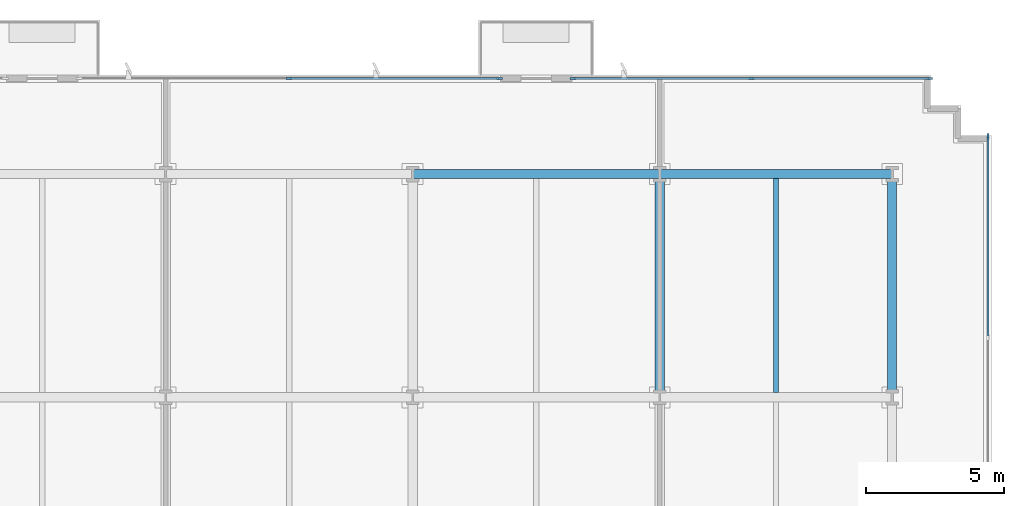
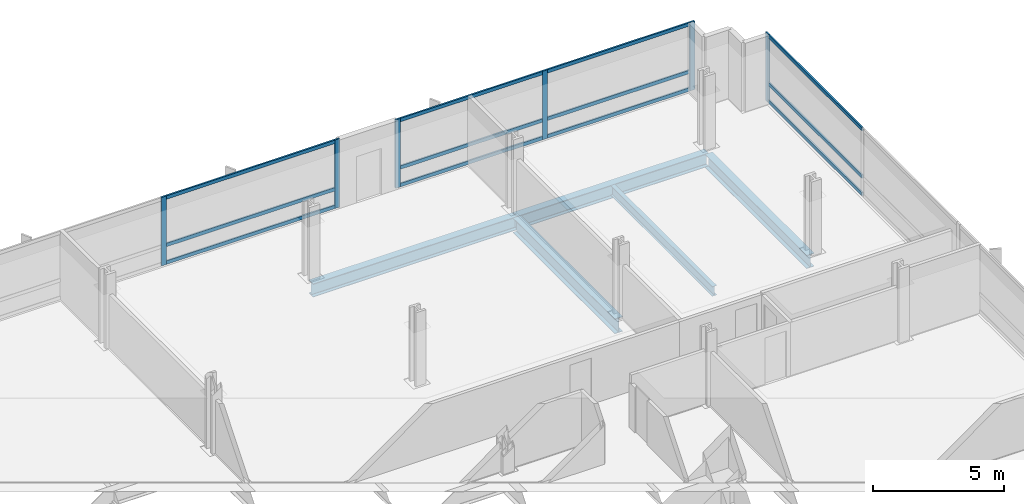
# One storey, part 6 of 14: 18 members, 5 beams, 3 elements without a shape of their own.
"""IFC4 building model written with IfcOpenShell, lengths in metres."""

from ifc_helpers import new_model, si_unit, direction, frame, origin, origin_2d, place, context, subcontext, project, spatial, rectangle, i_section, extrude, material, material_profile, profile_set, type_object, element, aggregate, save


model = new_model("IFC4")

# Units and contexts
model_context = context("Model", 3, precision=1e-05, world=origin(), true_north=direction((0.0, 1.0)))
body_context = subcontext(model_context, "Body", "Model", "MODEL_VIEW")
ifc_project = project(units=[si_unit("LENGTHUNIT", "METRE"), si_unit("AREAUNIT", "SQUARE_METRE"), si_unit("VOLUMEUNIT", "CUBIC_METRE"), si_unit("PLANEANGLEUNIT", "RADIAN"), si_unit("MASSUNIT", "GRAM", prefix="KILO")], contexts=[model_context])

# Site, building, storey
site_placement = place(None, origin())
site = spatial("IfcSite", under=ifc_project, at=site_placement, CompositionType="ELEMENT")
building_placement = place(site_placement, origin())
building = spatial("IfcBuilding", under=site, at=building_placement, Name="Solmavex Isthmus Hotel", CompositionType="ELEMENT")
storey_placement = place(building_placement, frame((0.0, 0.0, 50.550048828125)))
storey = spatial("IfcBuildingStorey", under=building, at=storey_placement, Name="L13", CompositionType="ELEMENT", Elevation=50.550048828125)

# Beams
ifc_material_1 = material(Name="Steel ASTM A992 Grade 50", Category="steel")
ifc_material_profile_1 = material_profile(ifc_material_1, i_section(OverallWidth=0.354736328125, OverallDepth=0.695556640625, WebThickness=0.015380859375, FlangeThickness=0.02490234375, FilletRadius=0.017822265625, at=origin_2d()), Name="W27X146")
ifc_profile_set_1 = profile_set([ifc_material_profile_1], Name="Steel ASTM A992 Grade 50")
beam_type_1 = type_object("IfcBeamType", Name="BM-BG-W27X146", PredefinedType="BEAM", material=ifc_profile_set_1)
beam_1_placement = place(storey_placement, frame((17.951904296875, 8.96533203125, -0.60791015625), z_axis=(0.0, 1.0, 0.0), x_axis=(-1.0, 0.0, 0.0)))
element("IfcBeam", 1, at=beam_1_placement, inside=storey, type_object=beam_type_1, Name="Floor Beam L13-VG45", PredefinedType="BEAM", context=body_context, shape_type="SweptSolid", body=[
    extrude(i_section(OverallWidth=0.354736328125, OverallDepth=0.695556640625, WebThickness=0.015380859375, FlangeThickness=0.02490234375, FilletRadius=0.017822265625, at=origin_2d()), origin(), (0.0, 0.0, 1.0), 7.771484375),
])
ifc_material_profile_2 = material_profile(ifc_material_1, i_section(OverallWidth=0.1904296875, OverallDepth=0.456787109375, WebThickness=0.009033203125, FlangeThickness=0.014404296875, FilletRadius=0.0126953125, at=origin_2d()), Name="W18X50")
ifc_profile_set_2 = profile_set([ifc_material_profile_2], Name="Steel ASTM A992 Grade 50")
beam_type_2 = type_object("IfcBeamType", Name="BM-BJ-W18X50", PredefinedType="JOIST", material=ifc_profile_set_2)
beam_2_placement = place(storey_placement, frame((22.176025390625, 8.96533203125, -0.488525390625), z_axis=(0.0, 1.0, 0.0), x_axis=(-1.0, 0.0, 0.0)))
element("IfcBeam", 2, at=beam_2_placement, inside=storey, type_object=beam_type_2, Name="Secondary Floor Joist L13-J22", PredefinedType="JOIST", context=body_context, shape_type="SweptSolid", body=[
    extrude(i_section(OverallWidth=0.1904296875, OverallDepth=0.456787109375, WebThickness=0.009033203125, FlangeThickness=0.014404296875, FilletRadius=0.0126953125, at=origin_2d()), origin(), (0.0, 0.0, 1.0), 7.771484375),
])
ifc_material_profile_3 = material_profile(ifc_material_1, i_section(OverallWidth=0.326416015625, OverallDepth=0.621826171875, WebThickness=0.015380859375, FlangeThickness=0.0244140625, FilletRadius=0.01513671875, at=origin_2d()), Name="W24X131")
ifc_profile_set_3 = profile_set([ifc_material_profile_3], Name="Steel ASTM A992 Grade 50")
beam_type_3 = type_object("IfcBeamType", Name="BM-SP-W24X131", PredefinedType="SPANDREL", material=ifc_profile_set_3)
beam_3_placement = place(storey_placement, frame((8.97607421875, 16.89990234375, -0.571044921875), z_axis=(1.0, 0.0, 0.0), x_axis=(0.0, 1.0, 0.0)))
element("IfcBeam", 3, at=beam_3_placement, inside=storey, type_object=beam_type_3, Name="Floor Girder L13-UG23", PredefinedType="SPANDREL", context=body_context, shape_type="SweptSolid", body=[
    extrude(i_section(OverallWidth=0.326416015625, OverallDepth=0.621826171875, WebThickness=0.015380859375, FlangeThickness=0.0244140625, FilletRadius=0.01513671875, at=origin_2d()), origin(), (0.0, 0.0, 1.0), 8.975830078125),
])
beam_4_placement = place(storey_placement, frame((17.951904296875, 16.89990234375, -0.571044921875), z_axis=(1.0, 0.0, 0.0), x_axis=(0.0, 1.0, 0.0)))
element("IfcBeam", 4, at=beam_4_placement, inside=storey, type_object=beam_type_3, Name="Floor Girder L13-UG24", PredefinedType="SPANDREL", context=body_context, shape_type="SweptSolid", body=[
    extrude(i_section(OverallWidth=0.326416015625, OverallDepth=0.621826171875, WebThickness=0.015380859375, FlangeThickness=0.0244140625, FilletRadius=0.01513671875, at=origin_2d()), origin(), (0.0, 0.0, 1.0), 8.447998046875),
])
beam_5_placement = place(storey_placement, frame((26.39990234375, 8.96533203125, -0.571044921875), z_axis=(0.0, 1.0, 0.0), x_axis=(-1.0, 0.0, 0.0)))
element("IfcBeam", 5, at=beam_5_placement, inside=storey, type_object=beam_type_3, Name="Floor Beam L13-VG48", PredefinedType="SPANDREL", context=body_context, shape_type="SweptSolid", body=[
    extrude(i_section(OverallWidth=0.326416015625, OverallDepth=0.621826171875, WebThickness=0.015380859375, FlangeThickness=0.0244140625, FilletRadius=0.01513671875, at=origin_2d()), origin(), (0.0, 0.0, 1.0), 7.771484375),
])

# Curtain wall, members
ifc_material_2 = material(Name="Aluminium alloy 6063-T6", Category="aluminium")
curtain_wall_type = type_object("IfcCurtainWallType", Name="CW-SYS-02", PredefinedType="NOTDEFINED", material=ifc_material_2)
curtain_wall_1_placement = place(storey_placement, origin())
curtain_wall_1 = element("IfcCurtainWall", 6, at=curtain_wall_1_placement, inside=storey, type_object=curtain_wall_type, Name="Stick Curtain Wall CWL-L13-N2", PredefinedType="NOTDEFINED")
ifc_material_profile_4 = material_profile(ifc_material_2, rectangle(XDim=0.074951171875, YDim=0.219970703125, at=origin_2d()), Name="CWM-75X220")
ifc_profile_set_4 = profile_set([ifc_material_profile_4], Name="Aluminium alloy 6063-T6")
member_type_1 = type_object("IfcMemberType", Name="CW-SYS-02-MUL", PredefinedType="MULLION", material=ifc_profile_set_4)
member_1_placement = place(storey_placement, frame((4.488037109375, 20.3798828125, 0.0), z_axis=(0.0, 0.0, 1.0), x_axis=(0.0, 1.0, 0.0)))
member_1 = element("IfcMember", 7, at=member_1_placement, type_object=member_type_1, Name="CW-02 mullion 2", PredefinedType="MULLION", context=body_context, shape_type="SweptSolid", body=[
    extrude(rectangle(XDim=0.074951171875, YDim=0.219970703125, at=origin_2d()), origin(), (0.0, 0.0, 1.0), 3.18994140625),
])
member_2_placement = place(storey_placement, frame((12.12646484375, 20.3798828125, 0.0), z_axis=(0.0, 0.0, 1.0), x_axis=(0.0, 1.0, 0.0)))
member_2 = element("IfcMember", 8, at=member_2_placement, type_object=member_type_1, Name="CW-02 mullion 3", PredefinedType="MULLION", context=body_context, shape_type="SweptSolid", body=[
    extrude(rectangle(XDim=0.074951171875, YDim=0.219970703125, at=origin_2d()), origin(), (0.0, 0.0, 1.0), 3.18994140625),
])

curtain_wall_2_placement = place(storey_placement, origin())
curtain_wall_2 = element("IfcCurtainWall", 9, at=curtain_wall_2_placement, inside=storey, type_object=curtain_wall_type, Name="Stick Curtain Wall CWL-L13-N3", PredefinedType="NOTDEFINED")
member_3_placement = place(storey_placement, frame((14.801513671875, 20.3798828125, 0.0), z_axis=(0.0, 0.0, 1.0), x_axis=(0.0, 1.0, 0.0)))
member_3 = element("IfcMember", 10, at=member_3_placement, type_object=member_type_1, Name="CW-02 mullion 1", PredefinedType="MULLION", context=body_context, shape_type="SweptSolid", body=[
    extrude(rectangle(XDim=0.074951171875, YDim=0.219970703125, at=origin_2d()), origin(), (0.0, 0.0, 1.0), 3.18994140625),
])
member_4_placement = place(storey_placement, frame((21.281982421875, 20.3798828125, 0.0), z_axis=(0.0, 0.0, 1.0), x_axis=(0.0, 1.0, 0.0)))
member_4 = element("IfcMember", 11, at=member_4_placement, type_object=member_type_1, Name="CW-02 mullion 2", PredefinedType="MULLION", context=body_context, shape_type="SweptSolid", body=[
    extrude(rectangle(XDim=0.074951171875, YDim=0.219970703125, at=origin_2d()), origin(), (0.0, 0.0, 1.0), 3.18994140625),
])
member_5_placement = place(storey_placement, frame((27.762451171875, 20.3798828125, 0.0), z_axis=(0.0, 0.0, 1.0), x_axis=(0.0, 1.0, 0.0)))
member_5 = element("IfcMember", 12, at=member_5_placement, type_object=member_type_1, Name="CW-02 mullion 3", PredefinedType="MULLION", context=body_context, shape_type="SweptSolid", body=[
    extrude(rectangle(XDim=0.074951171875, YDim=0.219970703125, at=origin_2d()), origin(), (0.0, 0.0, 1.0), 3.18994140625),
])

# Curtain wall, member
curtain_wall_3_placement = place(storey_placement, origin())
curtain_wall_3 = element("IfcCurtainWall", 13, at=curtain_wall_3_placement, inside=storey, type_object=curtain_wall_type, Name="Stick Curtain Wall CWL-L13-E1", PredefinedType="NOTDEFINED")
member_6_placement = place(storey_placement, frame((29.8798828125, 18.262451171875, 0.0), z_axis=(0.0, 0.0, 1.0), x_axis=(-1.0, 0.0, 0.0)))
member_6 = element("IfcMember", 14, at=member_6_placement, type_object=member_type_1, Name="CW-02 mullion 6", PredefinedType="MULLION", context=body_context, shape_type="SweptSolid", body=[
    extrude(rectangle(XDim=0.074951171875, YDim=0.219970703125, at=origin_2d()), origin(), (0.0, 0.0, 1.0), 3.18994140625),
])

# Member
ifc_material_profile_5 = material_profile(ifc_material_2, rectangle(XDim=0.074951171875, YDim=0.159912109375, at=origin_2d()), Name="CWT-75X160")
ifc_profile_set_5 = profile_set([ifc_material_profile_5], Name="Aluminium alloy 6063-T6")
member_type_2 = type_object("IfcMemberType", Name="CW-SYS-02-TRN", PredefinedType="USERDEFINED", material=ifc_profile_set_5)
member_7_placement = place(storey_placement, frame((4.525390625, 20.3798828125, 0.079833984375), z_axis=(1.0, 0.0, 0.0), x_axis=(0.0, 1.0, 0.0)))
member_7 = element("IfcMember", 15, at=member_7_placement, type_object=member_type_2, Name="CW-02 transom 2.1", ObjectType="TRANSOM", PredefinedType="USERDEFINED", context=body_context, shape_type="SweptSolid", body=[
    extrude(rectangle(XDim=0.074951171875, YDim=0.159912109375, at=origin_2d()), origin(), (0.0, 0.0, 1.0), 7.563720703125),
])

member_8_placement = place(storey_placement, frame((4.525390625, 20.3798828125, 0.89990234375), z_axis=(1.0, 0.0, 0.0), x_axis=(0.0, 1.0, 0.0)))
member_8 = element("IfcMember", 16, at=member_8_placement, type_object=member_type_2, Name="CW-02 transom 2.2", ObjectType="TRANSOM", PredefinedType="USERDEFINED", context=body_context, shape_type="SweptSolid", body=[
    extrude(rectangle(XDim=0.074951171875, YDim=0.159912109375, at=origin_2d()), origin(), (0.0, 0.0, 1.0), 7.563720703125),
])

member_9_placement = place(storey_placement, frame((4.525390625, 20.3798828125, 3.10986328125), z_axis=(1.0, 0.0, 0.0), x_axis=(0.0, 1.0, 0.0)))
member_9 = element("IfcMember", 17, at=member_9_placement, type_object=member_type_2, Name="CW-02 transom 2.3", ObjectType="TRANSOM", PredefinedType="USERDEFINED", context=body_context, shape_type="SweptSolid", body=[
    extrude(rectangle(XDim=0.074951171875, YDim=0.159912109375, at=origin_2d()), origin(), (0.0, 0.0, 1.0), 7.563720703125),
])

aggregate(curtain_wall_1, [member_1, member_2, member_7, member_8, member_9])

member_10_placement = place(storey_placement, frame((14.839111328125, 20.3798828125, 0.079833984375), z_axis=(1.0, 0.0, 0.0), x_axis=(0.0, 1.0, 0.0)))
member_10 = element("IfcMember", 18, at=member_10_placement, type_object=member_type_2, Name="CW-02 transom 1.1", ObjectType="TRANSOM", PredefinedType="USERDEFINED", context=body_context, shape_type="SweptSolid", body=[
    extrude(rectangle(XDim=0.074951171875, YDim=0.159912109375, at=origin_2d()), origin(), (0.0, 0.0, 1.0), 6.4052734375),
])

member_11_placement = place(storey_placement, frame((14.839111328125, 20.3798828125, 0.89990234375), z_axis=(1.0, 0.0, 0.0), x_axis=(0.0, 1.0, 0.0)))
member_11 = element("IfcMember", 19, at=member_11_placement, type_object=member_type_2, Name="CW-02 transom 1.2", ObjectType="TRANSOM", PredefinedType="USERDEFINED", context=body_context, shape_type="SweptSolid", body=[
    extrude(rectangle(XDim=0.074951171875, YDim=0.159912109375, at=origin_2d()), origin(), (0.0, 0.0, 1.0), 6.4052734375),
])

member_12_placement = place(storey_placement, frame((14.839111328125, 20.3798828125, 3.10986328125), z_axis=(1.0, 0.0, 0.0), x_axis=(0.0, 1.0, 0.0)))
member_12 = element("IfcMember", 20, at=member_12_placement, type_object=member_type_2, Name="CW-02 transom 1.3", ObjectType="TRANSOM", PredefinedType="USERDEFINED", context=body_context, shape_type="SweptSolid", body=[
    extrude(rectangle(XDim=0.074951171875, YDim=0.159912109375, at=origin_2d()), origin(), (0.0, 0.0, 1.0), 6.4052734375),
])

member_13_placement = place(storey_placement, frame((21.319580078125, 20.3798828125, 0.079833984375), z_axis=(1.0, 0.0, 0.0), x_axis=(0.0, 1.0, 0.0)))
member_13 = element("IfcMember", 21, at=member_13_placement, type_object=member_type_2, Name="CW-02 transom 2.1", ObjectType="TRANSOM", PredefinedType="USERDEFINED", context=body_context, shape_type="SweptSolid", body=[
    extrude(rectangle(XDim=0.074951171875, YDim=0.159912109375, at=origin_2d()), origin(), (0.0, 0.0, 1.0), 6.405517578125),
])

member_14_placement = place(storey_placement, frame((21.319580078125, 20.3798828125, 0.89990234375), z_axis=(1.0, 0.0, 0.0), x_axis=(0.0, 1.0, 0.0)))
member_14 = element("IfcMember", 22, at=member_14_placement, type_object=member_type_2, Name="CW-02 transom 2.2", ObjectType="TRANSOM", PredefinedType="USERDEFINED", context=body_context, shape_type="SweptSolid", body=[
    extrude(rectangle(XDim=0.074951171875, YDim=0.159912109375, at=origin_2d()), origin(), (0.0, 0.0, 1.0), 6.405517578125),
])

member_15_placement = place(storey_placement, frame((21.319580078125, 20.3798828125, 3.10986328125), z_axis=(1.0, 0.0, 0.0), x_axis=(0.0, 1.0, 0.0)))
member_15 = element("IfcMember", 23, at=member_15_placement, type_object=member_type_2, Name="CW-02 transom 2.3", ObjectType="TRANSOM", PredefinedType="USERDEFINED", context=body_context, shape_type="SweptSolid", body=[
    extrude(rectangle(XDim=0.074951171875, YDim=0.159912109375, at=origin_2d()), origin(), (0.0, 0.0, 1.0), 6.405517578125),
])

aggregate(curtain_wall_2, [member_3, member_4, member_5, member_10, member_11, member_12, member_13, member_14, member_15])

member_16_placement = place(storey_placement, frame((29.8798828125, 11.017578125, 0.079833984375), z_axis=(0.0, 1.0, 0.0), x_axis=(-1.0, 0.0, 0.0)))
member_16 = element("IfcMember", 24, at=member_16_placement, type_object=member_type_2, Name="CW-02 transom 5.1", ObjectType="TRANSOM", PredefinedType="USERDEFINED", context=body_context, shape_type="SweptSolid", body=[
    extrude(rectangle(XDim=0.074951171875, YDim=0.159912109375, at=origin_2d()), origin(), (0.0, 0.0, 1.0), 7.20751953125),
])

member_17_placement = place(storey_placement, frame((29.8798828125, 11.017578125, 0.89990234375), z_axis=(0.0, 1.0, 0.0), x_axis=(-1.0, 0.0, 0.0)))
member_17 = element("IfcMember", 25, at=member_17_placement, type_object=member_type_2, Name="CW-02 transom 5.2", ObjectType="TRANSOM", PredefinedType="USERDEFINED", context=body_context, shape_type="SweptSolid", body=[
    extrude(rectangle(XDim=0.074951171875, YDim=0.159912109375, at=origin_2d()), origin(), (0.0, 0.0, 1.0), 7.20751953125),
])

member_18_placement = place(storey_placement, frame((29.8798828125, 11.017578125, 3.10986328125), z_axis=(0.0, 1.0, 0.0), x_axis=(-1.0, 0.0, 0.0)))
member_18 = element("IfcMember", 26, at=member_18_placement, type_object=member_type_2, Name="CW-02 transom 5.3", ObjectType="TRANSOM", PredefinedType="USERDEFINED", context=body_context, shape_type="SweptSolid", body=[
    extrude(rectangle(XDim=0.074951171875, YDim=0.159912109375, at=origin_2d()), origin(), (0.0, 0.0, 1.0), 7.20751953125),
])

aggregate(curtain_wall_3, [member_6, member_16, member_17, member_18])

save(model, "model.ifc")
